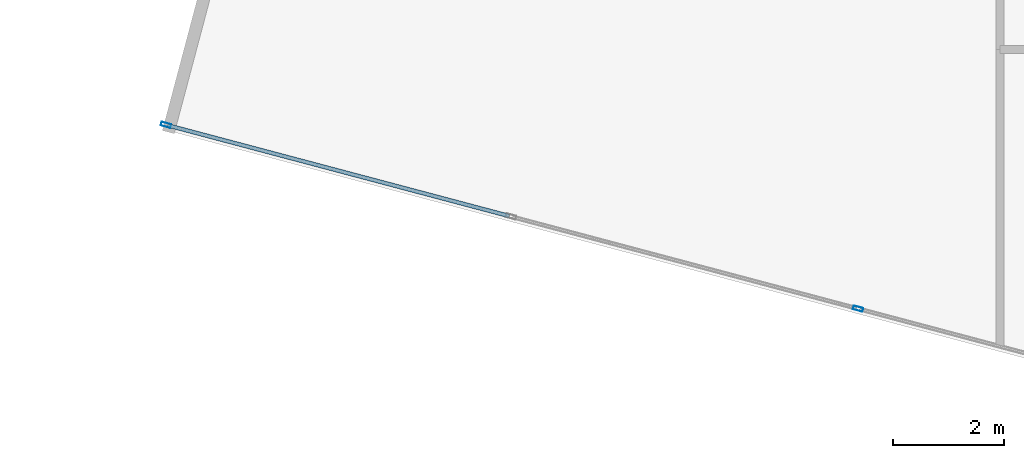
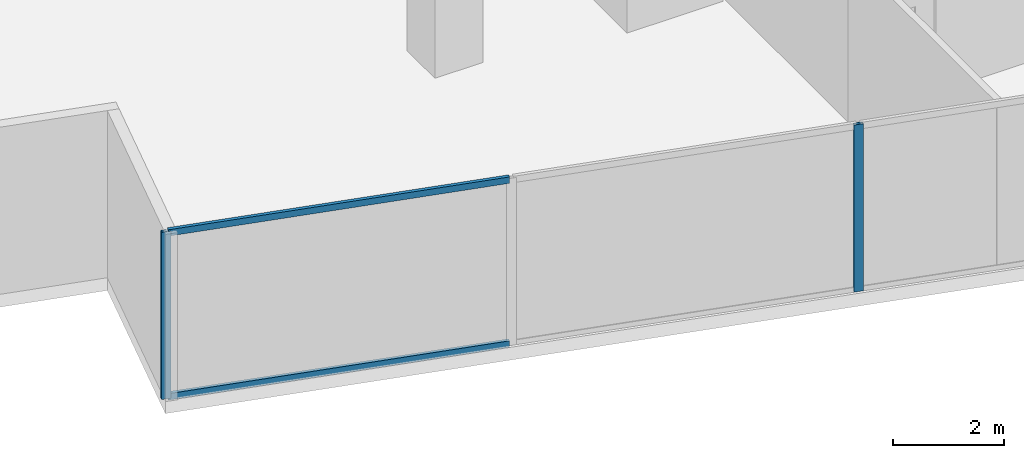
# One storey, part 2 of 27: 4 members, 1 element without a shape of its own.
"""IFC4 building model written with IfcOpenShell, lengths in metres."""

from ifc_helpers import new_model, si_unit, direction, frame, origin, origin_2d, place, context, subcontext, project, spatial, hollow_rectangle, extrude, source, transform, mapped, material, material_profile, profile_set, type_object, type_shapes, element, aggregate, save


model = new_model("IFC4")

# Units and contexts
model_context = context("Model", 3, precision=1e-05, world=origin(), true_north=direction((0.0, 1.0)))
body_context = subcontext(model_context, "Body", "Model", "MODEL_VIEW")
ifc_project = project(units=[si_unit("LENGTHUNIT", "METRE"), si_unit("AREAUNIT", "SQUARE_METRE"), si_unit("VOLUMEUNIT", "CUBIC_METRE"), si_unit("PLANEANGLEUNIT", "RADIAN"), si_unit("MASSUNIT", "GRAM", prefix="KILO")], contexts=[model_context])

# Site, building, storey
site_placement = place(None, origin())
site = spatial("IfcSite", under=ifc_project, at=site_placement, CompositionType="ELEMENT")
building_placement = place(site_placement, origin())
building = spatial("IfcBuilding", under=site, at=building_placement, Name="Krantzveldt Concourse Tower", CompositionType="ELEMENT")
storey_placement = place(building_placement, frame((0.0, 0.0, 97.949951171875)))
storey = spatial("IfcBuildingStorey", under=building, at=storey_placement, Name="L23", CompositionType="ELEMENT", Elevation=97.949951171875)

# Curtain wall, members
ifc_material = material(Name="Anodised aluminium 6063-T6", Category="aluminium")
curtain_wall_type = type_object("IfcCurtainWallType", Name="CW2", PredefinedType="USERDEFINED", material=ifc_material)
curtain_wall_placement = place(storey_placement, origin())
curtain_wall = element("IfcCurtainWall", 1, at=curtain_wall_placement, inside=storey, type_object=curtain_wall_type, Name="CW-L23-F04", ObjectType="UNITISED CURTAIN WALL", PredefinedType="USERDEFINED")
ifc_material_profile_1 = material_profile(ifc_material, hollow_rectangle(XDim=0.070068359375, YDim=0.179931640625, WallThickness=0.0048828125, at=origin_2d()), Name="Anodised aluminium 6063-T6", Category="aluminium")
ifc_profile_set_1 = profile_set([ifc_material_profile_1], Name="Anodised aluminium 6063-T6 - ALU-MULL 180x70x5")
member_type_1 = type_object("IfcMemberType", Name="CW-MUL-180", PredefinedType="MULLION", material=ifc_profile_set_1)
shared_shape_1 = source(origin(), body_context, "Body", "SweptSolid", [
    extrude(hollow_rectangle(XDim=0.070068359375, YDim=0.179931640625, WallThickness=0.0048828125, at=origin_2d()), origin(), (0.0, 0.0, 1.0), 3.670166015625),
])
type_shapes(member_type_1, [shared_shape_1])
member_1_placement = place(storey_placement, frame((11.300048828125, 9.142333984375, 0.0), z_axis=(0.0, 0.0, 1.0), x_axis=(0.256711093648, 0.966488186373, 0.0)))
member_1 = element("IfcMember", 2, at=member_1_placement, type_object=member_type_1, Name="CW-Z12 mullion 1", PredefinedType="MULLION", context=body_context, shape_type="MappedRepresentation", body=[
    mapped(shared_shape_1, transform((0.0, 0.0, 0.0), x_axis=(1.0, 0.0, 0.0), y_axis=(0.0, 1.0, 0.0), z_axis=(0.0, 0.0, 1.0), scale=1.0)),
])
member_2_placement = place(storey_placement, frame((23.76611328125, 5.831298828125, 0.0), z_axis=(0.0, 0.0, 1.0), x_axis=(0.256711093648, 0.966488186373, 0.0)))
member_2 = element("IfcMember", 3, at=member_2_placement, type_object=member_type_1, Name="CW-Z12 mullion 3", PredefinedType="MULLION", context=body_context, shape_type="MappedRepresentation", body=[
    mapped(shared_shape_1, transform((0.0, 0.0, 0.0), x_axis=(1.0, 0.0, 0.0), y_axis=(0.0, 1.0, 0.0), z_axis=(0.0, 0.0, 1.0), scale=1.0)),
])
ifc_material_profile_2 = material_profile(ifc_material, hollow_rectangle(XDim=0.070068359375, YDim=0.139892578125, WallThickness=0.0048828125, at=origin_2d()), Name="Anodised aluminium 6063-T6", Category="aluminium")
ifc_profile_set_2 = profile_set([ifc_material_profile_2], Name="Anodised aluminium 6063-T6 - ALU-TRAN 140x70x5")
member_type_2 = type_object("IfcMemberType", Name="CW-TRN-150", PredefinedType="USERDEFINED", material=ifc_profile_set_2)
shared_shape_2 = source(origin(), body_context, "Body", "SweptSolid", [
    extrude(hollow_rectangle(XDim=0.070068359375, YDim=0.139892578125, WallThickness=0.0048828125, at=origin_2d()), origin(), (0.0, 0.0, 1.0), 6.36181640625),
])
type_shapes(member_type_2, [shared_shape_2])
member_3_placement = place(storey_placement, frame((11.333740234375, 9.13330078125, 0.03515625), z_axis=(0.96649241661, -0.256695166754, 0.0), x_axis=(0.256695166754, 0.96649241661, 0.0)))
member_3 = element("IfcMember", 4, at=member_3_placement, type_object=member_type_2, Name="CW-Z12 transom 1.1", ObjectType="TRANSOM", PredefinedType="USERDEFINED", context=body_context, shape_type="MappedRepresentation", body=[
    mapped(shared_shape_2, transform((0.0, 0.0, 0.0), x_axis=(1.0, 0.0, 0.0), y_axis=(0.0, 1.0, 0.0), z_axis=(0.0, 0.0, 1.0), scale=1.0)),
])
member_4_placement = place(storey_placement, frame((11.333740234375, 9.13330078125, 3.635009765625), z_axis=(0.96649241661, -0.256695166754, 0.0), x_axis=(0.256695166754, 0.96649241661, 0.0)))
member_4 = element("IfcMember", 5, at=member_4_placement, type_object=member_type_2, Name="CW-Z12 transom 1.2", ObjectType="TRANSOM", PredefinedType="USERDEFINED", context=body_context, shape_type="MappedRepresentation", body=[
    mapped(shared_shape_2, transform((0.0, 0.0, 0.0), x_axis=(1.0, 0.0, 0.0), y_axis=(0.0, 1.0, 0.0), z_axis=(0.0, 0.0, 1.0), scale=1.0)),
])
aggregate(curtain_wall, [member_1, member_2, member_3, member_4])

save(model, "model.ifc")
